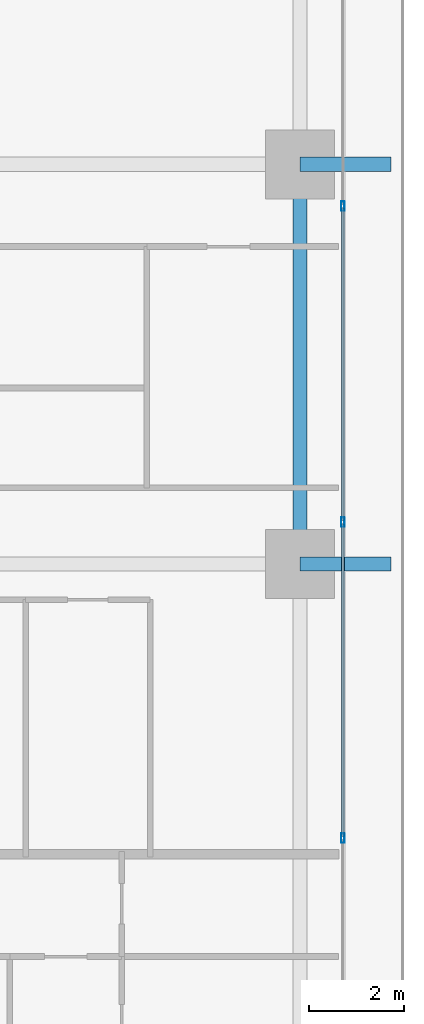
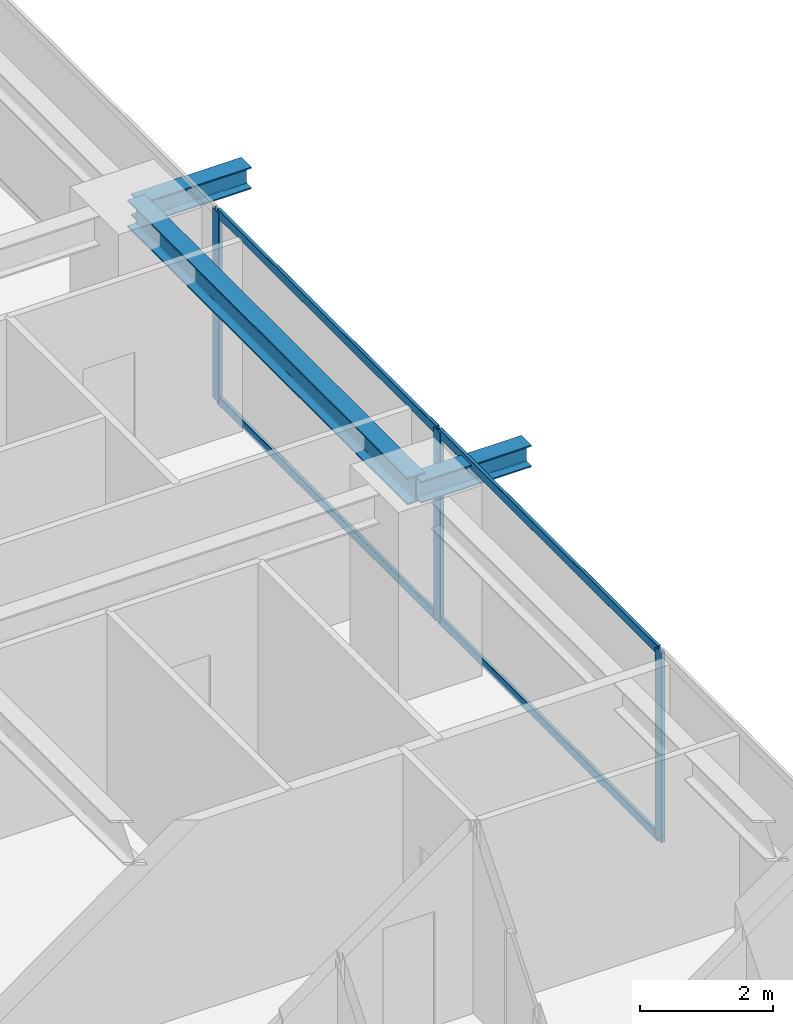
# One storey, part 14 of 35: 7 members, 3 beams, 1 element without a shape of its own.
"""IFC4 building model written with IfcOpenShell, lengths in metres."""

from ifc_helpers import new_model, si_unit, direction, frame, origin, origin_2d, place, context, subcontext, project, spatial, hollow_rectangle, i_section, extrude, source, transform, mapped, material, layer, layer_set, material_profile, profile_set, type_object, element, aggregate, save


model = new_model("IFC4")

# Units and contexts
model_context = context("Model", 3, precision=1e-05, world=origin(), true_north=direction((0.0, 1.0)))
body_context = subcontext(model_context, "Body", "Model", "MODEL_VIEW")
ifc_project = project(units=[si_unit("LENGTHUNIT", "METRE"), si_unit("AREAUNIT", "SQUARE_METRE"), si_unit("VOLUMEUNIT", "CUBIC_METRE"), si_unit("PLANEANGLEUNIT", "RADIAN"), si_unit("MASSUNIT", "GRAM", prefix="KILO")], contexts=[model_context])

# Site, building, storey
site_placement = place(None, origin())
site = spatial("IfcSite", under=ifc_project, at=site_placement, CompositionType="ELEMENT")
building_placement = place(site_placement, origin())
building = spatial("IfcBuilding", under=site, at=building_placement, Name="Serunith Strait Residences", CompositionType="ELEMENT")
storey_placement = place(building_placement, frame((0.0, 0.0, 56.699951171875)))
storey = spatial("IfcBuildingStorey", under=building, at=storey_placement, Name="L13", CompositionType="ELEMENT", Elevation=56.699951171875)

# Beams
ifc_material_1 = material(Name="Steel S355J2", Category="steel")
ifc_material_profile_1 = material_profile(ifc_material_1, i_section(OverallWidth=0.300048828125, OverallDepth=0.5, WebThickness=0.014404296875, FlangeThickness=0.028076171875, FilletRadius=0.027099609375, at=origin_2d()), Name="HEB 500")
ifc_profile_set_1 = profile_set([ifc_material_profile_1], Name="Steel S355J2")
beam_type_1 = type_object("IfcBeamType", Name="BM-HEB500", PredefinedType="BEAM", material=ifc_profile_set_1)
shared_shape_1 = source(origin(), body_context, "Body", "SweptSolid", [
    extrude(i_section(OverallWidth=0.300048828125, OverallDepth=0.5, WebThickness=0.014404296875, FlangeThickness=0.028076171875, FilletRadius=0.027099609375, at=origin_2d()), origin(), (0.0, 0.0, 1.0), 8.39990234375),
])
beam_placement = place(storey_placement, frame((57.89990234375, 21.0, 3.237060546875), z_axis=(0.0, 1.0, 0.0), x_axis=(-1.0, 0.0, 0.0)))
element("IfcBeam", 1, at=beam_placement, inside=storey, type_object=beam_type_1, Name="L13 Perimeter Ring Beam 06", PredefinedType="BEAM", context=body_context, shape_type="MappedRepresentation", body=[
    mapped(shared_shape_1, transform((0.0, 0.0, 0.0), scale=1.0)),
])
ifc_material_profile_2 = material_profile(ifc_material_1, i_section(OverallWidth=0.300048828125, OverallDepth=0.39990234375, WebThickness=0.013427734375, FlangeThickness=0.02392578125, FilletRadius=0.027099609375, at=origin_2d()), Name="HEB 400")
ifc_profile_set_2 = profile_set([ifc_material_profile_2], Name="Steel S355J2")
beam_type_2 = type_object("IfcBeamType", Name="BM-HEB400", PredefinedType="BEAM", material=ifc_profile_set_2)
shared_shape_2 = source(origin(), body_context, "Body", "SweptSolid", [
    extrude(i_section(OverallWidth=0.300048828125, OverallDepth=0.39990234375, WebThickness=0.013427734375, FlangeThickness=0.02392578125, FilletRadius=0.027099609375, at=origin_2d()), origin(), (0.0, 0.0, 1.0), 1.91015625),
])
for number, where, z_axis, x_axis, name in (
    (2, (57.89990234375, 21.0, 3.257080078125), (1.0, 0.0, 0.0), (0.0, 1.0, 0.0), "L14 Cantilevered Balcony Rib TC-E2"),
    (3, (57.89990234375, 29.39990234375, 3.257080078125), (1.0, 0.0, 0.0), (0.0, 1.0, 0.0), "L14 Cantilevered Balcony Rib TC-E3"),
):
    element("IfcBeam", number, at=place(storey_placement, frame(where, z_axis=z_axis, x_axis=x_axis)), inside=storey, type_object=beam_type_2, Name=name, PredefinedType="BEAM", context=body_context, shape_type="MappedRepresentation", body=[
        mapped(shared_shape_2, transform((0.0, 0.0, 0.0), scale=1.0)),
    ])

# Curtain wall, members
ifc_material_2 = material(Name="Pale-Champagne Anodised Aluminium", Category="aluminium")
ifc_layer = layer(ifc_material_2, 0.199951171875, Name="Pale-Champagne Anodised Aluminium")
ifc_layer_set = layer_set([ifc_layer], Name="Pale-Champagne Anodised Aluminium")
curtain_wall_type = type_object("IfcCurtainWallType", Name="CW-SYS1", PredefinedType="NOTDEFINED", material=ifc_layer_set)
curtain_wall_placement = place(storey_placement, origin())
curtain_wall = element("IfcCurtainWall", 4, at=curtain_wall_placement, inside=storey, type_object=curtain_wall_type, Name="L13 E Unitised Fritted Curtain Wall", PredefinedType="NOTDEFINED")
ifc_material_profile_3 = material_profile(ifc_material_2, hollow_rectangle(XDim=0.070068359375, YDim=0.199951171875, WallThickness=0.00390625, InnerFilletRadius=0.006103515625, OuterFilletRadius=0.010009765625, at=origin_2d()), Name="ALU 200x70x4")
ifc_profile_set_3 = profile_set([ifc_material_profile_3], Name="Pale-Champagne Anodised Aluminium")
member_type_1 = type_object("IfcMemberType", Name="CW-SYS1-MULL", PredefinedType="MULLION", material=ifc_profile_set_3)
shared_shape_3 = source(origin(), body_context, "Body", "SweptSolid", [
    extrude(hollow_rectangle(XDim=0.070068359375, YDim=0.199951171875, WallThickness=0.00390625, InnerFilletRadius=0.006103515625, OuterFilletRadius=0.010009765625, at=origin_2d()), origin(), (0.0, 0.0, 1.0), 3.47509765625),
])
member_1_placement = place(storey_placement, frame((58.800048828125, 15.239990234375, 0.0), z_axis=(0.0, 0.0, 1.0), x_axis=(-1.0, 0.0, 0.0)))
member_1 = element("IfcMember", 5, at=member_1_placement, type_object=member_type_1, Name="CW-1 mullion 2", PredefinedType="MULLION", context=body_context, shape_type="MappedRepresentation", body=[
    mapped(shared_shape_3, transform((0.0, 0.0, 0.0), scale=1.0)),
])
member_2_placement = place(storey_placement, frame((58.800048828125, 21.8798828125, 0.0), z_axis=(0.0, 0.0, 1.0), x_axis=(-1.0, 0.0, 0.0)))
member_2 = element("IfcMember", 6, at=member_2_placement, type_object=member_type_1, Name="CW-1 mullion 3", PredefinedType="MULLION", context=body_context, shape_type="MappedRepresentation", body=[
    mapped(shared_shape_3, transform((0.0, 0.0, 0.0), scale=1.0)),
])
member_3_placement = place(storey_placement, frame((58.800048828125, 28.52001953125, 0.0), z_axis=(0.0, 0.0, 1.0), x_axis=(-1.0, 0.0, 0.0)))
member_3 = element("IfcMember", 7, at=member_3_placement, type_object=member_type_1, Name="CW-1 mullion 4", PredefinedType="MULLION", context=body_context, shape_type="MappedRepresentation", body=[
    mapped(shared_shape_3, transform((0.0, 0.0, 0.0), scale=1.0)),
])
ifc_material_profile_4 = material_profile(ifc_material_2, hollow_rectangle(XDim=0.06005859375, YDim=0.159912109375, WallThickness=0.00341796875, InnerFilletRadius=0.00537109375, OuterFilletRadius=0.0087890625, at=origin_2d()), Name="ALU 160x60x3.5")
ifc_profile_set_4 = profile_set([ifc_material_profile_4], Name="Pale-Champagne Anodised Aluminium")
member_type_2 = type_object("IfcMemberType", Name="CW-SYS1-TRAN", PredefinedType="USERDEFINED", material=ifc_profile_set_4)
shared_shape_4 = source(origin(), body_context, "Body", "SweptSolid", [
    extrude(hollow_rectangle(XDim=0.06005859375, YDim=0.159912109375, WallThickness=0.00341796875, InnerFilletRadius=0.00537109375, OuterFilletRadius=0.0087890625, at=origin_2d()), origin(), (0.0, 0.0, 1.0), 6.570068359375),
])
member_4_placement = place(storey_placement, frame((58.800048828125, 15.27490234375, 0.030029296875), z_axis=(0.0, 1.0, 0.0), x_axis=(-1.0, 0.0, 0.0)))
member_4 = element("IfcMember", 8, at=member_4_placement, type_object=member_type_2, Name="CW-1 transom 2.1", ObjectType="TRANSOM", PredefinedType="USERDEFINED", context=body_context, shape_type="MappedRepresentation", body=[
    mapped(shared_shape_4, transform((0.0, 0.0, 0.0), scale=1.0)),
])
member_5_placement = place(storey_placement, frame((58.800048828125, 15.27490234375, 3.445068359375), z_axis=(0.0, 1.0, 0.0), x_axis=(-1.0, 0.0, 0.0)))
member_5 = element("IfcMember", 9, at=member_5_placement, type_object=member_type_2, Name="CW-1 transom 2.2", ObjectType="TRANSOM", PredefinedType="USERDEFINED", context=body_context, shape_type="MappedRepresentation", body=[
    mapped(shared_shape_4, transform((0.0, 0.0, 0.0), scale=1.0)),
])
member_6_placement = place(storey_placement, frame((58.800048828125, 21.9150390625, 0.030029296875), z_axis=(0.0, 1.0, 0.0), x_axis=(-1.0, 0.0, 0.0)))
member_6 = element("IfcMember", 10, at=member_6_placement, type_object=member_type_2, Name="CW-1 transom 3.1", ObjectType="TRANSOM", PredefinedType="USERDEFINED", context=body_context, shape_type="MappedRepresentation", body=[
    mapped(shared_shape_4, transform((0.0, 0.0, 0.0), scale=1.0)),
])
member_7_placement = place(storey_placement, frame((58.800048828125, 21.9150390625, 3.445068359375), z_axis=(0.0, 1.0, 0.0), x_axis=(-1.0, 0.0, 0.0)))
member_7 = element("IfcMember", 11, at=member_7_placement, type_object=member_type_2, Name="CW-1 transom 3.2", ObjectType="TRANSOM", PredefinedType="USERDEFINED", context=body_context, shape_type="MappedRepresentation", body=[
    mapped(shared_shape_4, transform((0.0, 0.0, 0.0), scale=1.0)),
])
aggregate(curtain_wall, [member_1, member_2, member_3, member_4, member_5, member_6, member_7])

save(model, "model.ifc")
